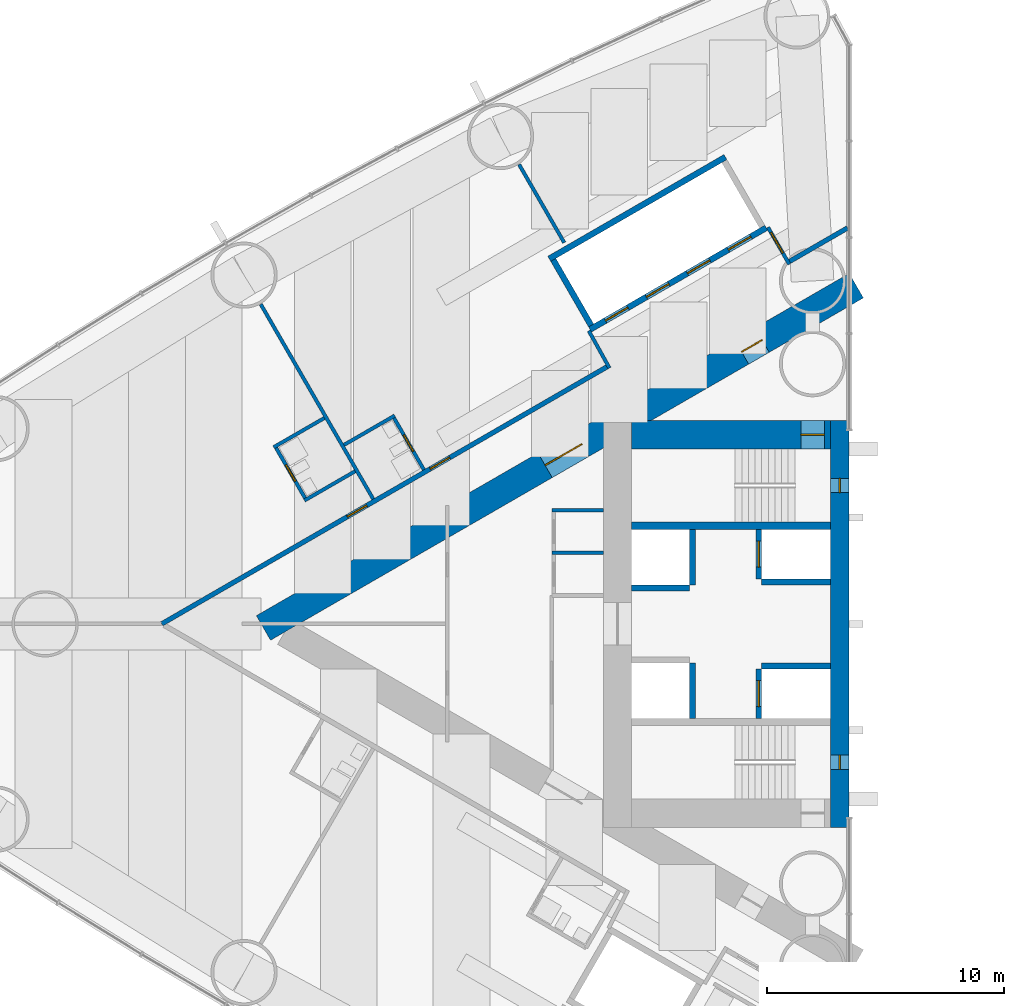
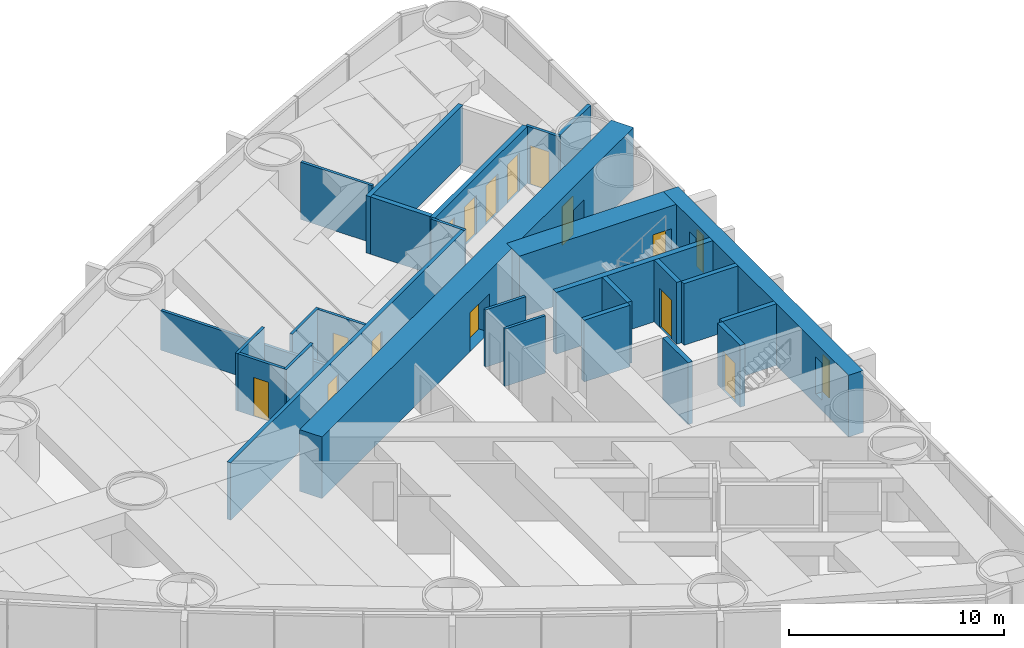
# One storey, part 12 of 19: 27 walls, 14 doors, 2 windows, 16 openings.
"""IFC4 building model written with IfcOpenShell, lengths in metres."""

from ifc_helpers import new_model, si_unit, direction, frame, frame_2d, origin, place, context, subcontext, project, spatial, rectangle, extrude, material, layer, layer_set, type_object, element, fill, save


model = new_model("IFC4")

# Units and contexts
model_context = context("Model", 3, precision=1e-05, world=origin(), true_north=direction((0.0, 1.0)))
body_context = subcontext(model_context, "Body", "Model", "MODEL_VIEW")
ifc_project = project(units=[si_unit("LENGTHUNIT", "METRE"), si_unit("AREAUNIT", "SQUARE_METRE"), si_unit("VOLUMEUNIT", "CUBIC_METRE"), si_unit("PLANEANGLEUNIT", "RADIAN"), si_unit("MASSUNIT", "GRAM", prefix="KILO")], contexts=[model_context])

# Site, building, storey
site_placement = place(None, origin())
site = spatial("IfcSite", under=ifc_project, at=site_placement, CompositionType="ELEMENT")
building_placement = place(site_placement, origin())
building = spatial("IfcBuilding", under=site, at=building_placement, Name="Lancet Gate Hotel", CompositionType="ELEMENT")
storey_placement = place(building_placement, frame((0.0, 0.0, 25.0)))
storey = spatial("IfcBuildingStorey", under=building, at=storey_placement, Name="L05", CompositionType="ELEMENT", Elevation=25.0)

# Wall
ifc_material_1 = material(Name="Moisture resistant board partition")
ifc_layer_1 = layer(ifc_material_1, 0.14990234375)
ifc_layer_set_1 = layer_set([ifc_layer_1], Name="Bathroom wall 150")
wall_type_1 = type_object("IfcWallType", Name="Bathroom wall 150", PredefinedType="PARTITIONING", material=ifc_layer_set_1)
wall_1_placement = place(storey_placement, frame((-49.691650390625, 8.704345703125, 0.0), z_axis=(0.0, 0.0, 1.0), x_axis=(-0.866073894602, -0.499916002032, 0.0)))
element("IfcWall", 1, at=wall_1_placement, inside=storey, type_object=wall_type_1, Name="T1 bathroom wall 150 L05", PredefinedType="PARTITIONING", context=body_context, shape_type="SweptSolid", body=[
    extrude(rectangle(XDim=2.47509765625, YDim=0.14990234375, at=frame_2d((1.237548828125, 0.0))), origin(), (0.0, 0.0, 1.0), 3.25),
])

# Wall, opening, door
wall_2_placement = place(storey_placement, frame((-50.47021484375, 5.252685546875, 0.0), z_axis=(0.0, 0.0, 1.0), x_axis=(-0.500006934395, 0.866021400173, 0.0)))
wall_2 = element("IfcWall", 2, at=wall_2_placement, inside=storey, type_object=wall_type_1, Name="T1 bathroom wall 150 L05", PredefinedType="PARTITIONING", context=body_context, shape_type="SweptSolid", body=[
    extrude(rectangle(XDim=2.60009765625, YDim=0.14990234375, at=frame_2d((1.300048828125, 0.0))), origin(), (0.0, 0.0, 1.0), 3.25),
])
opening_1_placement = place(wall_2_placement, frame((0.89990234375, 0.0, 0.0)))
opening_1 = element("IfcOpeningElement", 3, at=opening_1_placement, cuts=wall_2, Name="Opening 0503-B", PredefinedType="OPENING", context=body_context, shape_type="SweptSolid", body=[
    extrude(rectangle(XDim=0.800048828125, YDim=2.199951171875, at=frame_2d((0.39990234375, 1.10009765625))), frame((0.0, 0.0849609375, 0.0), z_axis=(0.0, -1.0, 0.0), x_axis=(1.0, 0.0, 0.0)), (0.0, 0.0, 1.0), 0.169921875),
])
ifc_material_2 = material(Name="Timber door set", Category="wood")
door_type_1 = type_object("IfcDoorType", Name="Bathroom door 800", OperationType="SINGLE_SWING_RIGHT", PredefinedType="DOOR", material=ifc_material_2)
door_1_placement = place(opening_1_placement, origin())
door_1 = element("IfcDoor", 4, at=door_1_placement, inside=storey, type_object=door_type_1, Name="0503-B", OperationType="SINGLE_SWING_RIGHT", OverallHeight=2.199951171875, OverallWidth=0.800048828125, PredefinedType="DOOR", context=body_context, shape_type="SweptSolid", body=[
    extrude(rectangle(XDim=0.800048828125, YDim=2.199951171875, at=frame_2d((0.39990234375, 1.10009765625))), frame((0.0, 0.02490234375, 0.0), z_axis=(0.0, -1.0, 0.0), x_axis=(1.0, 0.0, 0.0)), (0.0, 0.0, 1.0), 0.050048828125),
])
fill(opening_1, door_1)

# Walls
for number, where, z_axis, x_axis, name in (
    (5, (-48.391845703125, 6.45263671875, 0.0), (0.0, 0.0, 1.0), (-0.86604923931, -0.499958713387, 0.0), "T1 bathroom wall 150 L05"),
    (6, (-46.718505859375, 8.804443359375, 0.0), (0.0, 0.0, 1.0), (-0.866006523861, -0.500032699561, 0.0), "T1 bathroom wall 150 L05"),
):
    element("IfcWall", number, at=place(storey_placement, frame(where, z_axis=z_axis, x_axis=x_axis)), inside=storey, type_object=wall_type_1, Name=name, PredefinedType="PARTITIONING", context=body_context, shape_type="SweptSolid", body=[
        extrude(rectangle(XDim=2.474853515625, YDim=0.14990234375, at=frame_2d((1.2373046875, 0.0))), origin(), (0.0, 0.0, 1.0), 3.25),
    ])

# Wall, opening, door
wall_3_placement = place(storey_placement, frame((-45.4833984375, 6.515380859375, 0.0), z_axis=(0.0, 0.0, 1.0), x_axis=(-0.500006934395, 0.866021400173, 0.0)))
wall_3 = element("IfcWall", 7, at=wall_3_placement, inside=storey, type_object=wall_type_1, Name="T1 bathroom wall 150 L05", PredefinedType="PARTITIONING", context=body_context, shape_type="SweptSolid", body=[
    extrude(rectangle(XDim=2.60009765625, YDim=0.14990234375, at=frame_2d((1.300048828125, 0.0))), origin(), (0.0, 0.0, 1.0), 3.25),
])
opening_2_placement = place(wall_3_placement, frame((0.89990234375, 0.0, 0.0)))
opening_2 = element("IfcOpeningElement", 8, at=opening_2_placement, cuts=wall_3, Name="Opening 0502-B", PredefinedType="OPENING", context=body_context, shape_type="SweptSolid", body=[
    extrude(rectangle(XDim=0.800048828125, YDim=2.199951171875, at=frame_2d((0.39990234375, 1.10009765625))), frame((0.0, 0.0849609375, 0.0), z_axis=(0.0, -1.0, 0.0), x_axis=(1.0, 0.0, 0.0)), (0.0, 0.0, 1.0), 0.169921875),
])
door_2_placement = place(opening_2_placement, origin())
door_2 = element("IfcDoor", 9, at=door_2_placement, inside=storey, type_object=door_type_1, Name="0502-B", OperationType="SINGLE_SWING_RIGHT", OverallHeight=2.199951171875, OverallWidth=0.800048828125, PredefinedType="DOOR", context=body_context, shape_type="SweptSolid", body=[
    extrude(rectangle(XDim=0.800048828125, YDim=2.199951171875, at=frame_2d((0.39990234375, 1.10009765625))), frame((0.0, 0.02490234375, 0.0), z_axis=(0.0, -1.0, 0.0), x_axis=(1.0, 0.0, 0.0)), (0.0, 0.0, 1.0), 0.050048828125),
])
fill(opening_2, door_2)

# Wall, openings, doors
ifc_material_3 = material(Name="Concrete C70/85", Category="concrete")
ifc_layer_2 = layer(ifc_material_3, 1.199951171875)
ifc_layer_set_2 = layer_set([ifc_layer_2], Name="Buttress wall 1200")
wall_type_2 = type_object("IfcWallType", Name="Buttress wall 1200", PredefinedType="SHEAR", material=ifc_layer_set_2)
wall_4_placement = place(storey_placement, frame((-27.199951171875, 14.300048828125, 0.0), z_axis=(0.0, 0.0, 1.0), x_axis=(-0.866026593062, -0.499997940104, 0.0)))
wall_4 = element("IfcWall", 10, at=wall_4_placement, inside=storey, type_object=wall_type_2, Name="T1 buttress wall S L05", PredefinedType="SHEAR", context=body_context, shape_type="SweptSolid", body=[
    extrude(rectangle(XDim=28.9462890625, YDim=1.199951171875, at=frame_2d((14.47314453125, 0.0))), origin(), (0.0, 0.0, 1.0), 3.5),
])
opening_3_placement = place(wall_4_placement, frame((4.60009765625, 0.0, 0.0)))
opening_3 = element("IfcOpeningElement", 11, at=opening_3_placement, cuts=wall_4, Name="Opening T1-L05-LS", PredefinedType="OPENING", context=body_context, shape_type="SweptSolid", body=[
    extrude(rectangle(XDim=1.0, YDim=2.199951171875, at=frame_2d((0.5, 1.10009765625))), frame((0.0, 0.60986328125, 0.0), z_axis=(0.0, -1.0, 0.0), x_axis=(1.0, 0.0, 0.0)), (0.0, 0.0, 1.0), 1.219970703125),
])
opening_4_placement = place(wall_4_placement, frame((13.39453125, 0.0, 0.0)))
opening_4 = element("IfcOpeningElement", 12, at=opening_4_placement, cuts=wall_4, Name="Opening T1-L05-LHS", PredefinedType="OPENING", context=body_context, shape_type="SweptSolid", body=[
    extrude(rectangle(XDim=1.800048828125, YDim=2.199951171875, at=frame_2d((0.89990234375, 1.10009765625))), frame((0.0, 0.60986328125, 0.0), z_axis=(0.0, -1.0, 0.0), x_axis=(1.0, 0.0, 0.0)), (0.0, 0.0, 1.0), 1.219970703125),
])
ifc_material_4 = material(Name="Timber door set", Category="wood")
door_type_2 = type_object("IfcDoorType", Name="Lobby double door 1800", OperationType="DOUBLE_DOOR_SINGLE_SWING", PredefinedType="DOOR", material=ifc_material_4)
door_3_placement = place(opening_4_placement, origin())
door_3 = element("IfcDoor", 13, at=door_3_placement, inside=storey, type_object=door_type_2, Name="T1-L05-LHS", OperationType="DOUBLE_DOOR_SINGLE_SWING", OverallHeight=2.199951171875, OverallWidth=1.800048828125, PredefinedType="DOOR", context=body_context, shape_type="SweptSolid", body=[
    extrude(rectangle(XDim=1.800048828125, YDim=2.199951171875, at=frame_2d((0.89990234375, 1.10009765625))), frame((0.0, 0.02490234375, 0.0), z_axis=(0.0, -1.0, 0.0), x_axis=(1.0, 0.0, 0.0)), (0.0, 0.0, 1.0), 0.050048828125),
])
fill(opening_4, door_3)
ifc_material_5 = material(Name="Timber door set", Category="wood")
door_type_3 = type_object("IfcDoorType", Name="Stair lobby door 1000", OperationType="SINGLE_SWING_LEFT", PredefinedType="DOOR", material=ifc_material_5)
door_4_placement = place(opening_3_placement, origin())
door_4 = element("IfcDoor", 14, at=door_4_placement, inside=storey, type_object=door_type_3, Name="T1-L05-LS", OperationType="SINGLE_SWING_LEFT", OverallHeight=2.199951171875, OverallWidth=1.0, PredefinedType="DOOR", context=body_context, shape_type="SweptSolid", body=[
    extrude(rectangle(XDim=1.0, YDim=2.199951171875, at=frame_2d((0.5, 1.10009765625))), frame((0.0, 0.02490234375, 0.0), z_axis=(0.0, -1.0, 0.0), x_axis=(1.0, 0.0, 0.0)), (0.0, 0.0, 1.0), 0.050048828125),
])
fill(opening_3, door_4)

# Wall, opening, door
ifc_material_6 = material(Name="Concrete C70/85", Category="concrete")
ifc_layer_3 = layer(ifc_material_6, 1.199951171875)
ifc_layer_set_3 = layer_set([ifc_layer_3], Name="Core wall 1200")
wall_type_3 = type_object("IfcWallType", Name="Core wall 1200", PredefinedType="SHEAR", material=ifc_layer_set_3)
wall_5_placement = place(storey_placement, frame((-28.300048828125, 8.0, 0.0), z_axis=(0.0, 0.0, 1.0), x_axis=(-1.0, 0.0, 0.0)))
wall_5 = element("IfcWall", 15, at=wall_5_placement, inside=storey, type_object=wall_type_3, Name="T1 core wall side-S L05", PredefinedType="SHEAR", context=body_context, shape_type="SweptSolid", body=[
    extrude(rectangle(XDim=8.39990234375, YDim=1.199951171875, at=frame_2d((4.199951171875, 0.0))), origin(), (0.0, 0.0, 1.0), 3.5),
])
opening_5_placement = place(wall_5_placement, frame((0.25, 0.0, 0.0)))
opening_5 = element("IfcOpeningElement", 16, at=opening_5_placement, cuts=wall_5, Name="Opening T1-L05-ST1", PredefinedType="OPENING", context=body_context, shape_type="SweptSolid", body=[
    extrude(rectangle(XDim=1.0, YDim=2.199951171875, at=frame_2d((0.5, 1.10009765625))), frame((0.0, 0.60986328125, 0.0), z_axis=(0.0, -1.0, 0.0), x_axis=(1.0, 0.0, 0.0)), (0.0, 0.0, 1.0), 1.219970703125),
])
ifc_material_7 = material(Name="Timber door set", Category="wood")
door_type_4 = type_object("IfcDoorType", Name="Stair door 1000", OperationType="SINGLE_SWING_RIGHT", PredefinedType="DOOR", material=ifc_material_7)
door_5_placement = place(opening_5_placement, origin())
door_5 = element("IfcDoor", 17, at=door_5_placement, inside=storey, type_object=door_type_4, Name="T1-L05-ST1", OperationType="SINGLE_SWING_RIGHT", OverallHeight=2.199951171875, OverallWidth=1.0, PredefinedType="DOOR", context=body_context, shape_type="SweptSolid", body=[
    extrude(rectangle(XDim=1.0, YDim=2.199951171875, at=frame_2d((0.5, 1.10009765625))), frame((0.0, 0.02490234375, 0.0), z_axis=(0.0, -1.0, 0.0), x_axis=(1.0, 0.0, 0.0)), (0.0, 0.0, 1.0), 0.050048828125),
])
fill(opening_5, door_5)

# Wall, openings, windows
ifc_material_8 = material(Name="Concrete C70/85", Category="concrete")
ifc_layer_4 = layer(ifc_material_8, 0.800048828125)
ifc_layer_set_4 = layer_set([ifc_layer_4], Name="Core wall 800")
wall_type_4 = type_object("IfcWallType", Name="Core wall 800", PredefinedType="SHEAR", material=ifc_layer_set_4)
wall_6_placement = place(storey_placement, frame((-27.89990234375, 8.60009765625, 0.0), z_axis=(0.0, 0.0, 1.0), x_axis=(0.0, -1.0, 0.0)))
wall_6 = element("IfcWall", 18, at=wall_6_placement, inside=storey, type_object=wall_type_4, Name="T1 core wall front L05", PredefinedType="SHEAR", context=body_context, shape_type="SweptSolid", body=[
    extrude(rectangle(XDim=17.2001953125, YDim=0.800048828125, at=frame_2d((8.60009765625, 0.0))), origin(), (0.0, 0.0, 1.0), 3.5),
])
opening_6_placement = place(wall_6_placement, frame((2.449951171875, 0.0, 0.60009765625)))
opening_6 = element("IfcOpeningElement", 19, at=opening_6_placement, cuts=wall_6, Name="Opening LW1", PredefinedType="OPENING", context=body_context, shape_type="SweptSolid", body=[
    extrude(rectangle(XDim=0.60009765625, YDim=2.10009765625, at=frame_2d((0.300048828125, 1.050048828125))), frame((0.0, 0.409912109375, 0.0), z_axis=(0.0, -1.0, 0.0), x_axis=(1.0, 0.0, 0.0)), (0.0, 0.0, 1.0), 0.820068359375),
])
opening_7_placement = place(wall_6_placement, frame((14.14990234375, 0.0, 0.60009765625)))
opening_7 = element("IfcOpeningElement", 20, at=opening_7_placement, cuts=wall_6, Name="Opening LW1", PredefinedType="OPENING", context=body_context, shape_type="SweptSolid", body=[
    extrude(rectangle(XDim=0.60009765625, YDim=2.10009765625, at=frame_2d((0.300048828125, 1.050048828125))), frame((0.0, 0.409912109375, 0.0), z_axis=(0.0, -1.0, 0.0), x_axis=(1.0, 0.0, 0.0)), (0.0, 0.0, 1.0), 0.820068359375),
])
ifc_material_9 = material(Name="Fire-resisting glazed steel window", Category="steel")
window_type = type_object("IfcWindowType", Name="Lancet window 600x2100", PartitioningType="SINGLE_PANEL", PredefinedType="WINDOW", material=ifc_material_9)
window_1_placement = place(opening_6_placement, origin())
window_1 = element("IfcWindow", 21, at=window_1_placement, inside=storey, type_object=window_type, Name="T1 stair window S L05", OverallHeight=2.10009765625, OverallWidth=0.60009765625, PartitioningType="SINGLE_PANEL", PredefinedType="WINDOW", context=body_context, shape_type="SweptSolid", body=[
    extrude(rectangle(XDim=0.60009765625, YDim=2.10009765625, at=frame_2d((0.300048828125, 1.050048828125))), frame((0.0, 0.030029296875, 0.0), z_axis=(0.0, -1.0, 0.0), x_axis=(1.0, 0.0, 0.0)), (0.0, 0.0, 1.0), 0.06005859375),
])
fill(opening_6, window_1)
window_2_placement = place(opening_7_placement, origin())
window_2 = element("IfcWindow", 22, at=window_2_placement, inside=storey, type_object=window_type, Name="T1 stair window N L05", OverallHeight=2.10009765625, OverallWidth=0.60009765625, PartitioningType="SINGLE_PANEL", PredefinedType="WINDOW", context=body_context, shape_type="SweptSolid", body=[
    extrude(rectangle(XDim=0.60009765625, YDim=2.10009765625, at=frame_2d((0.300048828125, 1.050048828125))), frame((0.0, 0.030029296875, 0.0), z_axis=(0.0, -1.0, 0.0), x_axis=(1.0, 0.0, 0.0)), (0.0, 0.0, 1.0), 0.06005859375),
])
fill(opening_7, window_2)

# Wall
ifc_material_10 = material(Name="Gypsum board partition")
ifc_layer_5 = layer(ifc_material_10, 0.199951171875)
ifc_layer_set_5 = layer_set([ifc_layer_5], Name="Corridor wall 200")
wall_type_5 = type_object("IfcWallType", Name="Corridor wall 200", PredefinedType="PARTITIONING", material=ifc_layer_set_5)
wall_7_placement = place(storey_placement, frame((-27.572021484375, 16.740966796875, 0.0), z_axis=(0.0, 0.0, 1.0), x_axis=(-0.866034618596, -0.499984039138, 0.0)))
element("IfcWall", 23, at=wall_7_placement, inside=storey, type_object=wall_type_5, Name="T1 corridor wall 200 L05", PredefinedType="PARTITIONING", context=body_context, shape_type="SweptSolid", body=[
    extrude(rectangle(XDim=2.8544921875, YDim=0.199951171875, at=frame_2d((1.42724609375, 0.0))), origin(), (0.0, 0.0, 1.0), 3.25),
])

# Wall, openings, doors
wall_8_placement = place(storey_placement, frame((-37.699951171875, 10.8935546875, 0.0), z_axis=(0.0, 0.0, 1.0), x_axis=(-0.866027905338, -0.499995667157, 0.0)))
wall_8 = element("IfcWall", 24, at=wall_8_placement, inside=storey, type_object=wall_type_5, Name="T1 corridor wall 200 L05", PredefinedType="PARTITIONING", context=body_context, shape_type="SweptSolid", body=[
    extrude(rectangle(XDim=21.787353515625, YDim=0.199951171875, at=frame_2d((10.8935546875, 0.0))), origin(), (0.0, 0.0, 1.0), 3.25),
])
opening_8_placement = place(wall_8_placement, frame((11.77978515625, 0.0, 0.0)))
opening_8 = element("IfcOpeningElement", 25, at=opening_8_placement, cuts=wall_8, Name="Opening 0503-E", PredefinedType="OPENING", context=body_context, shape_type="SweptSolid", body=[
    extrude(rectangle(XDim=0.949951171875, YDim=2.199951171875, at=frame_2d((0.47509765625, 1.10009765625))), frame((0.0, 0.10986328125, 0.0), z_axis=(0.0, -1.0, 0.0), x_axis=(1.0, 0.0, 0.0)), (0.0, 0.0, 1.0), 0.219970703125),
])
opening_9_placement = place(wall_8_placement, frame((7.729736328125, 0.0, 0.0)))
opening_9 = element("IfcOpeningElement", 26, at=opening_9_placement, cuts=wall_8, Name="Opening 0502-E", PredefinedType="OPENING", context=body_context, shape_type="SweptSolid", body=[
    extrude(rectangle(XDim=0.949951171875, YDim=2.199951171875, at=frame_2d((0.47509765625, 1.10009765625))), frame((0.0, 0.10986328125, 0.0), z_axis=(0.0, -1.0, 0.0), x_axis=(1.0, 0.0, 0.0)), (0.0, 0.0, 1.0), 0.219970703125),
])
ifc_material_11 = material(Name="Timber door set", Category="wood")
door_type_5 = type_object("IfcDoorType", Name="Guest room entry door 950", OperationType="SINGLE_SWING_LEFT", PredefinedType="DOOR", material=ifc_material_11)
door_6_placement = place(opening_8_placement, origin())
door_6 = element("IfcDoor", 27, at=door_6_placement, inside=storey, type_object=door_type_5, Name="0503-E", OperationType="SINGLE_SWING_LEFT", OverallHeight=2.199951171875, OverallWidth=0.949951171875, PredefinedType="DOOR", context=body_context, shape_type="SweptSolid", body=[
    extrude(rectangle(XDim=0.949951171875, YDim=2.199951171875, at=frame_2d((0.47509765625, 1.10009765625))), frame((0.0, 0.02490234375, 0.0), z_axis=(0.0, -1.0, 0.0), x_axis=(1.0, 0.0, 0.0)), (0.0, 0.0, 1.0), 0.050048828125),
])
fill(opening_8, door_6)
door_7_placement = place(opening_9_placement, origin())
door_7 = element("IfcDoor", 28, at=door_7_placement, inside=storey, type_object=door_type_5, Name="0502-E", OperationType="SINGLE_SWING_LEFT", OverallHeight=2.199951171875, OverallWidth=0.949951171875, PredefinedType="DOOR", context=body_context, shape_type="SweptSolid", body=[
    extrude(rectangle(XDim=0.949951171875, YDim=2.199951171875, at=frame_2d((0.47509765625, 1.10009765625))), frame((0.0, 0.02490234375, 0.0), z_axis=(0.0, -1.0, 0.0), x_axis=(1.0, 0.0, 0.0)), (0.0, 0.0, 1.0), 0.050048828125),
])
fill(opening_9, door_7)

ifc_material_12 = material(Name="Gypsum board partition")
ifc_layer_6 = layer(ifc_material_12, 0.25)
ifc_layer_set_6 = layer_set([ifc_layer_6], Name="Lift shaft partition 250")
wall_type_6 = type_object("IfcWallType", Name="Lift shaft partition 250", PredefinedType="PARTITIONING", material=ifc_layer_set_6)
wall_9_placement = place(storey_placement, frame((-31.010498046875, 16.747314453125, 0.0), z_axis=(0.0, 0.0, 1.0), x_axis=(-0.866028165386, -0.499995216735, 0.0)))
wall_9 = element("IfcWall", 29, at=wall_9_placement, inside=storey, type_object=wall_type_6, Name="T1 lift shaft wall LR L05", PredefinedType="PARTITIONING", context=body_context, shape_type="SweptSolid", body=[
    extrude(rectangle(XDim=8.60009765625, YDim=0.25, at=frame_2d((4.300048828125, 0.0))), origin(), (0.0, 0.0, 1.0), 3.25),
])
opening_10_placement = place(wall_9_placement, frame((0.75, 0.0, 0.0)))
opening_10 = element("IfcOpeningElement", 30, at=opening_10_placement, cuts=wall_9, Name="Opening T1-LR1-L05", PredefinedType="OPENING", context=body_context, shape_type="SweptSolid", body=[
    extrude(rectangle(XDim=1.10009765625, YDim=2.199951171875, at=frame_2d((0.550048828125, 1.10009765625))), frame((0.0, 0.135009765625, 0.0), z_axis=(0.0, -1.0, 0.0), x_axis=(1.0, 0.0, 0.0)), (0.0, 0.0, 1.0), 0.27001953125),
])
opening_11_placement = place(wall_9_placement, frame((2.75, 0.0, 0.0)))
opening_11 = element("IfcOpeningElement", 31, at=opening_11_placement, cuts=wall_9, Name="Opening T1-LR2-L05", PredefinedType="OPENING", context=body_context, shape_type="SweptSolid", body=[
    extrude(rectangle(XDim=1.10009765625, YDim=2.199951171875, at=frame_2d((0.550048828125, 1.10009765625))), frame((0.0, 0.135009765625, 0.0), z_axis=(0.0, -1.0, 0.0), x_axis=(1.0, 0.0, 0.0)), (0.0, 0.0, 1.0), 0.27001953125),
])
opening_12_placement = place(wall_9_placement, frame((4.75, 0.0, 0.0)))
opening_12 = element("IfcOpeningElement", 32, at=opening_12_placement, cuts=wall_9, Name="Opening T1-LR3-L05", PredefinedType="OPENING", context=body_context, shape_type="SweptSolid", body=[
    extrude(rectangle(XDim=1.10009765625, YDim=2.199951171875, at=frame_2d((0.550048828125, 1.10009765625))), frame((0.0, 0.135009765625, 0.0), z_axis=(0.0, -1.0, 0.0), x_axis=(1.0, 0.0, 0.0)), (0.0, 0.0, 1.0), 0.27001953125),
])
opening_13_placement = place(wall_9_placement, frame((6.75, 0.0, 0.0)))
opening_13 = element("IfcOpeningElement", 33, at=opening_13_placement, cuts=wall_9, Name="Opening T1-LR4-L05", PredefinedType="OPENING", context=body_context, shape_type="SweptSolid", body=[
    extrude(rectangle(XDim=1.10009765625, YDim=2.199951171875, at=frame_2d((0.550048828125, 1.10009765625))), frame((0.0, 0.135009765625, 0.0), z_axis=(0.0, -1.0, 0.0), x_axis=(1.0, 0.0, 0.0)), (0.0, 0.0, 1.0), 0.27001953125),
])
ifc_material_13 = material(Name="Steel door set", Category="steel")
door_type_6 = type_object("IfcDoorType", Name="Lift landing door 1100", OperationType="DOUBLE_DOOR_SLIDING", PredefinedType="USERDEFINED", material=ifc_material_13)
door_8_placement = place(opening_10_placement, origin())
door_8 = element("IfcDoor", 34, at=door_8_placement, inside=storey, type_object=door_type_6, Name="T1-LR1-L05", ObjectType="LIFT LANDING DOOR", OperationType="DOUBLE_DOOR_SLIDING", OverallHeight=2.199951171875, OverallWidth=1.10009765625, PredefinedType="USERDEFINED", context=body_context, shape_type="SweptSolid", body=[
    extrude(rectangle(XDim=1.10009765625, YDim=2.199951171875, at=frame_2d((0.550048828125, 1.10009765625))), frame((0.0, 0.02490234375, 0.0), z_axis=(0.0, -1.0, 0.0), x_axis=(1.0, 0.0, 0.0)), (0.0, 0.0, 1.0), 0.050048828125),
])
fill(opening_10, door_8)
door_9_placement = place(opening_11_placement, origin())
door_9 = element("IfcDoor", 35, at=door_9_placement, inside=storey, type_object=door_type_6, Name="T1-LR2-L05", ObjectType="LIFT LANDING DOOR", OperationType="DOUBLE_DOOR_SLIDING", OverallHeight=2.199951171875, OverallWidth=1.10009765625, PredefinedType="USERDEFINED", context=body_context, shape_type="SweptSolid", body=[
    extrude(rectangle(XDim=1.10009765625, YDim=2.199951171875, at=frame_2d((0.550048828125, 1.10009765625))), frame((0.0, 0.02490234375, 0.0), z_axis=(0.0, -1.0, 0.0), x_axis=(1.0, 0.0, 0.0)), (0.0, 0.0, 1.0), 0.050048828125),
])
fill(opening_11, door_9)
door_10_placement = place(opening_12_placement, origin())
door_10 = element("IfcDoor", 36, at=door_10_placement, inside=storey, type_object=door_type_6, Name="T1-LR3-L05", ObjectType="LIFT LANDING DOOR", OperationType="DOUBLE_DOOR_SLIDING", OverallHeight=2.199951171875, OverallWidth=1.10009765625, PredefinedType="USERDEFINED", context=body_context, shape_type="SweptSolid", body=[
    extrude(rectangle(XDim=1.10009765625, YDim=2.199951171875, at=frame_2d((0.550048828125, 1.10009765625))), frame((0.0, 0.02490234375, 0.0), z_axis=(0.0, -1.0, 0.0), x_axis=(1.0, 0.0, 0.0)), (0.0, 0.0, 1.0), 0.050048828125),
])
fill(opening_12, door_10)
door_11_placement = place(opening_13_placement, origin())
door_11 = element("IfcDoor", 37, at=door_11_placement, inside=storey, type_object=door_type_6, Name="T1-LR4-L05", ObjectType="LIFT LANDING DOOR", OperationType="DOUBLE_DOOR_SLIDING", OverallHeight=2.199951171875, OverallWidth=1.10009765625, PredefinedType="USERDEFINED", context=body_context, shape_type="SweptSolid", body=[
    extrude(rectangle(XDim=1.10009765625, YDim=2.199951171875, at=frame_2d((0.550048828125, 1.10009765625))), frame((0.0, 0.02490234375, 0.0), z_axis=(0.0, -1.0, 0.0), x_axis=(1.0, 0.0, 0.0)), (0.0, 0.0, 1.0), 0.050048828125),
])
fill(opening_13, door_11)

# Walls
wall_10_placement = place(storey_placement, frame((-32.735595703125, 19.73583984375, 0.0), z_axis=(0.0, 0.0, 1.0), x_axis=(-0.866028165386, -0.499995216735, 0.0)))
element("IfcWall", 38, at=wall_10_placement, inside=storey, type_object=wall_type_6, Name="T1 lift shaft wall LR L05", PredefinedType="PARTITIONING", context=body_context, shape_type="SweptSolid", body=[
    extrude(rectangle(XDim=8.60009765625, YDim=0.25, at=frame_2d((4.300048828125, 0.0))), origin(), (0.0, 0.0, 1.0), 3.25),
])
wall_11_placement = place(storey_placement, frame((-38.412841796875, 12.617919921875, 0.0), z_axis=(0.0, 0.0, 1.0), x_axis=(-0.499872130319, 0.866099216793, 0.0)))
element("IfcWall", 39, at=wall_11_placement, inside=storey, type_object=wall_type_6, Name="T1 lift shaft wall LR L05", PredefinedType="PARTITIONING", context=body_context, shape_type="SweptSolid", body=[
    extrude(rectangle(XDim=3.200439453125, YDim=0.25, at=frame_2d((1.60009765625, 0.0))), origin(), (0.0, 0.0, 1.0), 3.25),
])

# Wall, opening, door
ifc_material_14 = material(Name="Concrete C50/60", Category="concrete")
ifc_layer_7 = layer(ifc_material_14, 0.25)
ifc_layer_set_7 = layer_set([ifc_layer_7], Name="Lift shaft wall 250")
wall_type_7 = type_object("IfcWallType", Name="Lift shaft wall 250", PredefinedType="SHEAR", material=ifc_layer_set_7)
wall_12_placement = place(storey_placement, frame((-31.324951171875, 4.0, 0.0), z_axis=(0.0, 0.0, 1.0), x_axis=(0.0, -1.0, 0.0)))
wall_12 = element("IfcWall", 40, at=wall_12_placement, inside=storey, type_object=wall_type_7, Name="T1 core wall row1-S L05", PredefinedType="SHEAR", context=body_context, shape_type="SweptSolid", body=[
    extrude(rectangle(XDim=2.10009765625, YDim=0.25, at=frame_2d((1.050048828125, 0.0))), origin(), (0.0, 0.0, 1.0), 3.5),
])
opening_14_placement = place(wall_12_placement, frame((0.5, 0.0, 0.0)))
opening_14 = element("IfcOpeningElement", 41, at=opening_14_placement, cuts=wall_12, Name="Opening T1-SL1-L05", PredefinedType="OPENING", context=body_context, shape_type="SweptSolid", body=[
    extrude(rectangle(XDim=1.10009765625, YDim=2.199951171875, at=frame_2d((0.550048828125, 1.10009765625))), frame((0.0, 0.135009765625, 0.0), z_axis=(0.0, -1.0, 0.0), x_axis=(1.0, 0.0, 0.0)), (0.0, 0.0, 1.0), 0.27001953125),
])
ifc_material_15 = material(Name="Timber door set", Category="wood")
door_type_7 = type_object("IfcDoorType", Name="Service lift landing door 1100", OperationType="SLIDING_TO_LEFT", PredefinedType="USERDEFINED", material=ifc_material_15)
door_12_placement = place(opening_14_placement, origin())
door_12 = element("IfcDoor", 42, at=door_12_placement, inside=storey, type_object=door_type_7, Name="T1-SL1-L05", ObjectType="LIFT LANDING DOOR", OperationType="SLIDING_TO_LEFT", OverallHeight=2.199951171875, OverallWidth=1.10009765625, PredefinedType="USERDEFINED", context=body_context, shape_type="SweptSolid", body=[
    extrude(rectangle(XDim=1.10009765625, YDim=2.199951171875, at=frame_2d((0.550048828125, 1.10009765625))), frame((0.0, 0.02490234375, 0.0), z_axis=(0.0, -1.0, 0.0), x_axis=(1.0, 0.0, 0.0)), (0.0, 0.0, 1.0), 0.050048828125),
])
fill(opening_14, door_12)

# Walls
wall_13_placement = place(storey_placement, frame((-34.125, 4.0, 0.0), z_axis=(0.0, 0.0, 1.0), x_axis=(0.0, -1.0, 0.0)))
element("IfcWall", 43, at=wall_13_placement, inside=storey, type_object=wall_type_7, Name="T1 core wall row2-S L05", PredefinedType="SHEAR", context=body_context, shape_type="SweptSolid", body=[
    extrude(rectangle(XDim=2.35009765625, YDim=0.25, at=frame_2d((1.175048828125, 0.0))), origin(), (0.0, 0.0, 1.0), 3.5),
])
wall_14_placement = place(storey_placement, frame((-28.300048828125, 1.77490234375, 0.0), z_axis=(0.0, 0.0, 1.0), x_axis=(-1.0, 0.0, 0.0)))
element("IfcWall", 44, at=wall_14_placement, inside=storey, type_object=wall_type_7, Name="T1 core wall pass1-S L05", PredefinedType="SHEAR", context=body_context, shape_type="SweptSolid", body=[
    extrude(rectangle(XDim=2.89990234375, YDim=0.25, at=frame_2d((1.449951171875, 0.0))), origin(), (0.0, 0.0, 1.0), 3.5),
])
wall_15_placement = place(storey_placement, frame((-34.25, 1.52490234375, 0.0), z_axis=(0.0, 0.0, 1.0), x_axis=(-1.0, 0.0, 0.0)))
element("IfcWall", 45, at=wall_15_placement, inside=storey, type_object=wall_type_7, Name="T1 core wall pass2-S L05", PredefinedType="SHEAR", context=body_context, shape_type="SweptSolid", body=[
    extrude(rectangle(XDim=2.449951171875, YDim=0.25, at=frame_2d((1.22509765625, 0.0))), origin(), (0.0, 0.0, 1.0), 3.5),
])

# Wall, opening, door
wall_16_placement = place(storey_placement, frame((-31.324951171875, -1.89990234375, 0.0), z_axis=(0.0, 0.0, 1.0), x_axis=(0.0, -1.0, 0.0)))
wall_16 = element("IfcWall", 46, at=wall_16_placement, inside=storey, type_object=wall_type_7, Name="T1 core wall row1-N L05", PredefinedType="SHEAR", context=body_context, shape_type="SweptSolid", body=[
    extrude(rectangle(XDim=2.10009765625, YDim=0.25, at=frame_2d((1.050048828125, 0.0))), origin(), (0.0, 0.0, 1.0), 3.5),
])
opening_15_placement = place(wall_16_placement, frame((0.5, 0.0, 0.0)))
opening_15 = element("IfcOpeningElement", 47, at=opening_15_placement, cuts=wall_16, Name="Opening T1-FL2-L05", PredefinedType="OPENING", context=body_context, shape_type="SweptSolid", body=[
    extrude(rectangle(XDim=1.10009765625, YDim=2.199951171875, at=frame_2d((0.550048828125, 1.10009765625))), frame((0.0, 0.135009765625, 0.0), z_axis=(0.0, -1.0, 0.0), x_axis=(1.0, 0.0, 0.0)), (0.0, 0.0, 1.0), 0.27001953125),
])
ifc_material_16 = material(Name="Steel door set", Category="steel")
door_type_8 = type_object("IfcDoorType", Name="Firefighting lift landing door 1100", OperationType="SLIDING_TO_LEFT", PredefinedType="USERDEFINED", material=ifc_material_16)
door_13_placement = place(opening_15_placement, origin())
door_13 = element("IfcDoor", 48, at=door_13_placement, inside=storey, type_object=door_type_8, Name="T1-FL2-L05", ObjectType="LIFT LANDING DOOR", OperationType="SLIDING_TO_LEFT", OverallHeight=2.199951171875, OverallWidth=1.10009765625, PredefinedType="USERDEFINED", context=body_context, shape_type="SweptSolid", body=[
    extrude(rectangle(XDim=1.10009765625, YDim=2.199951171875, at=frame_2d((0.550048828125, 1.10009765625))), frame((0.0, 0.02490234375, 0.0), z_axis=(0.0, -1.0, 0.0), x_axis=(1.0, 0.0, 0.0)), (0.0, 0.0, 1.0), 0.050048828125),
])
fill(opening_15, door_13)

# Walls
wall_17_placement = place(storey_placement, frame((-34.125, -1.64990234375, 0.0), z_axis=(0.0, 0.0, 1.0), x_axis=(0.0, -1.0, 0.0)))
element("IfcWall", 49, at=wall_17_placement, inside=storey, type_object=wall_type_7, Name="T1 core wall row2-N L05", PredefinedType="SHEAR", context=body_context, shape_type="SweptSolid", body=[
    extrude(rectangle(XDim=2.35009765625, YDim=0.25, at=frame_2d((1.175048828125, 0.0))), origin(), (0.0, 0.0, 1.0), 3.5),
])
wall_18_placement = place(storey_placement, frame((-28.300048828125, -1.77490234375, 0.0), z_axis=(0.0, 0.0, 1.0), x_axis=(-1.0, 0.0, 0.0)))
element("IfcWall", 50, at=wall_18_placement, inside=storey, type_object=wall_type_7, Name="T1 core wall pass1-N L05", PredefinedType="SHEAR", context=body_context, shape_type="SweptSolid", body=[
    extrude(rectangle(XDim=2.89990234375, YDim=0.25, at=frame_2d((1.449951171875, 0.0))), origin(), (0.0, 0.0, 1.0), 3.5),
])
ifc_material_17 = material(Name="Gypsum board partition")
ifc_layer_8 = layer(ifc_material_17, 0.14990234375)
ifc_layer_set_8 = layer_set([ifc_layer_8], Name="Party wall 150")
wall_type_8 = type_object("IfcWallType", Name="Party wall 150", PredefinedType="PARTITIONING", material=ifc_layer_set_8)
wall_19_placement = place(storey_placement, frame((-47.626708984375, 5.27783203125, 0.0), z_axis=(0.0, 0.0, 1.0), x_axis=(-0.500009844318, 0.86601972009, 0.0)))
element("IfcWall", 51, at=wall_19_placement, inside=storey, type_object=wall_type_8, Name="T1 party wall 150 L05", PredefinedType="PARTITIONING", context=body_context, shape_type="SweptSolid", body=[
    extrude(rectangle(XDim=9.510498046875, YDim=0.14990234375, at=frame_2d((4.75537109375, 0.0))), origin(), (0.0, 0.0, 1.0), 2.25),
])
wall_20_placement = place(storey_placement, frame((-39.55078125, 16.11865234375, 0.0), z_axis=(0.0, 0.0, 1.0), x_axis=(-0.500014214979, 0.866017196607, 0.0)))
element("IfcWall", 52, at=wall_20_placement, inside=storey, type_object=wall_type_8, Name="T1 party wall 150 L05", PredefinedType="PARTITIONING", context=body_context, shape_type="SweptSolid", body=[
    extrude(rectangle(XDim=3.81494140625, YDim=0.14990234375, at=frame_2d((1.907470703125, 0.0))), origin(), (0.0, 0.0, 1.0), 3.25),
])
ifc_material_18 = material(Name="Gypsum board partition")
ifc_layer_9 = layer(ifc_material_18, 0.14990234375)
ifc_layer_set_9 = layer_set([ifc_layer_9], Name="Service room wall 150")
wall_type_9 = type_object("IfcWallType", Name="Service room wall 150", PredefinedType="PARTITIONING", material=ifc_layer_set_9)
wall_21_placement = place(storey_placement, frame((-38.513427734375, 12.392333984375, 0.0), z_axis=(0.0, 0.0, 1.0), x_axis=(0.485585508183, -0.874189175317, 0.0)))
element("IfcWall", 53, at=wall_21_placement, inside=storey, type_object=wall_type_9, Name="T1 service room wall 150 L05", PredefinedType="PARTITIONING", context=body_context, shape_type="SweptSolid", body=[
    extrude(rectangle(XDim=1.804931640625, YDim=0.14990234375, at=frame_2d((0.90234375, 0.0))), origin(), (0.0, 0.0, 1.0), 3.25),
])

# Wall, opening, door
wall_22_placement = place(storey_placement, frame((-30.033203125, 15.20458984375, 0.0), z_axis=(0.0, 0.0, 1.0), x_axis=(-0.499980071345, 0.866036909293, 0.0)))
wall_22 = element("IfcWall", 54, at=wall_22_placement, inside=storey, type_object=wall_type_9, Name="T1 service room wall 150 L05", PredefinedType="PARTITIONING", context=body_context, shape_type="SweptSolid", body=[
    extrude(rectangle(XDim=1.8046875, YDim=0.14990234375, at=frame_2d((0.90234375, 0.0))), origin(), (0.0, 0.0, 1.0), 3.25),
])
opening_16_placement = place(wall_22_placement, frame((0.552001953125, 0.0, 0.0)))
opening_16 = element("IfcOpeningElement", 55, at=opening_16_placement, cuts=wall_22, Name="Opening T1-L05-LO1", PredefinedType="OPENING", context=body_context, shape_type="SweptSolid", body=[
    extrude(rectangle(XDim=1.0, YDim=2.199951171875, at=frame_2d((0.5, 1.10009765625))), frame((0.0, 0.0849609375, 0.0), z_axis=(0.0, -1.0, 0.0), x_axis=(1.0, 0.0, 0.0)), (0.0, 0.0, 1.0), 0.169921875),
])
ifc_material_19 = material(Name="Timber door set", Category="wood")
door_type_9 = type_object("IfcDoorType", Name="Service door 1000", OperationType="SINGLE_SWING_LEFT", PredefinedType="DOOR", material=ifc_material_19)
door_14_placement = place(opening_16_placement, origin())
door_14 = element("IfcDoor", 56, at=door_14_placement, inside=storey, type_object=door_type_9, Name="T1-L05-LO1", OperationType="SINGLE_SWING_LEFT", OverallHeight=2.199951171875, OverallWidth=1.0, PredefinedType="DOOR", context=body_context, shape_type="SweptSolid", body=[
    extrude(rectangle(XDim=1.0, YDim=2.199951171875, at=frame_2d((0.5, 1.10009765625))), frame((0.0, 0.02490234375, 0.0), z_axis=(0.0, -1.0, 0.0), x_axis=(1.0, 0.0, 0.0)), (0.0, 0.0, 1.0), 0.050048828125),
])
fill(opening_16, door_14)

# Walls
for number, where, z_axis, x_axis, name in (
    (57, (-37.89990234375, 3.0, 0.0), (0.0, 0.0, 1.0), (-1.0, 0.0, 0.0), "T1 service room wall 150 L05"),
    (58, (-37.89990234375, 4.800048828125, 0.0), (0.0, 0.0, 1.0), (-1.0, 0.0, 0.0), "T1 service room wall 150 L05"),
):
    element("IfcWall", number, at=place(storey_placement, frame(where, z_axis=z_axis, x_axis=x_axis)), inside=storey, type_object=wall_type_9, Name=name, PredefinedType="PARTITIONING", context=body_context, shape_type="SweptSolid", body=[
        extrude(rectangle(XDim=2.175048828125, YDim=0.14990234375, at=frame_2d((1.08740234375, 0.0))), origin(), (0.0, 0.0, 1.0), 3.25),
    ])
ifc_material_20 = material(Name="Concrete C50/60", Category="concrete")
ifc_layer_10 = layer(ifc_material_20, 0.300048828125)
ifc_layer_set_10 = layer_set([ifc_layer_10], Name="Stair enclosure wall 300")
wall_type_10 = type_object("IfcWallType", Name="Stair enclosure wall 300", PredefinedType="SHEAR", material=ifc_layer_set_10)
wall_23_placement = place(storey_placement, frame((-28.300048828125, 4.14990234375, 0.0), z_axis=(0.0, 0.0, 1.0), x_axis=(-1.0, 0.0, 0.0)))
element("IfcWall", 59, at=wall_23_placement, inside=storey, type_object=wall_type_10, Name="T1 core wall stair-S L05", PredefinedType="SHEAR", context=body_context, shape_type="SweptSolid", body=[
    extrude(rectangle(XDim=8.39990234375, YDim=0.300048828125, at=frame_2d((4.199951171875, 0.0))), origin(), (0.0, 0.0, 1.0), 3.5),
])

save(model, "model.ifc")
